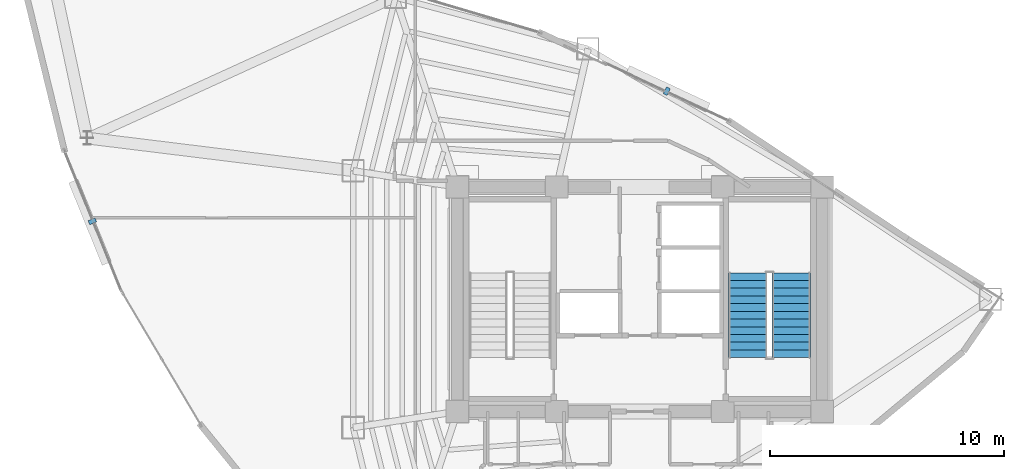
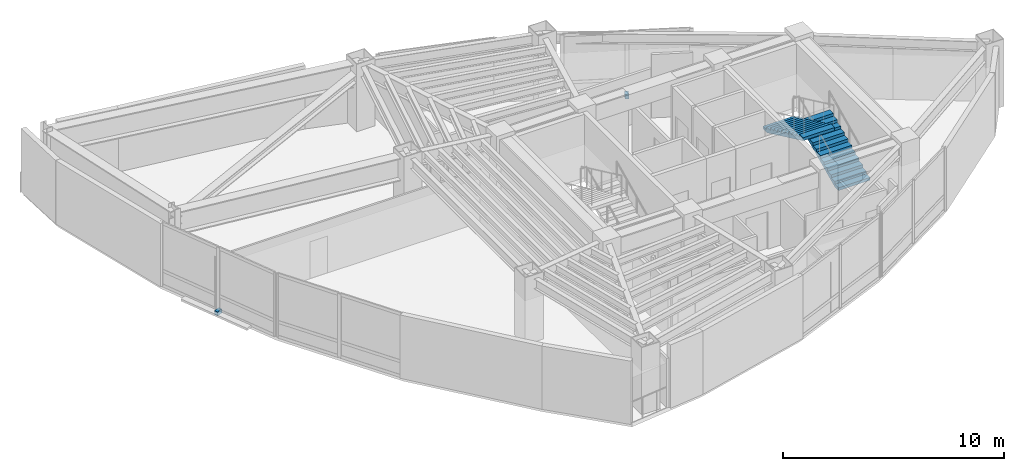
# One storey, part 14 of 16: 2 discrete accessories, 2 stair flights, 1 element without a shape of its own.
"""IFC4 building model written with IfcOpenShell, lengths in metres."""

from ifc_helpers import new_model, si_unit, direction, frame, origin, origin_2d, place, context, subcontext, project, spatial, polyline, rectangle, outline, extrude, material, type_object, element, aggregate, save


model = new_model("IFC4")

# Units and contexts
model_context = context("Model", 3, precision=1e-05, world=origin(), true_north=direction((0.0, 1.0)))
body_context = subcontext(model_context, "Body", "Model", "MODEL_VIEW")
ifc_project = project(units=[si_unit("LENGTHUNIT", "METRE"), si_unit("AREAUNIT", "SQUARE_METRE"), si_unit("VOLUMEUNIT", "CUBIC_METRE"), si_unit("PLANEANGLEUNIT", "RADIAN"), si_unit("MASSUNIT", "GRAM", prefix="KILO")], contexts=[model_context])

# Site, building, storey
site_placement = place(None, origin())
site = spatial("IfcSite", under=ifc_project, at=site_placement, CompositionType="ELEMENT")
building_placement = place(site_placement, origin())
building = spatial("IfcBuilding", under=site, at=building_placement, Name="Menara Vayukalpa", CompositionType="ELEMENT")
storey_placement = place(building_placement, frame((0.0, 0.0, 198.9599609375)))
storey = spatial("IfcBuildingStorey", under=building, at=storey_placement, Name="L50", CompositionType="ELEMENT", Elevation=198.9599609375)

# Stair, stair flights
ifc_material_1 = material(Name="Precast Concrete C40/50", Category="concrete")
stair_type = type_object("IfcStairType", Name="STR-T04", PredefinedType="DOUBLE_RETURN_STAIR", material=ifc_material_1)
stair_placement = place(storey_placement, origin())
stair = element("IfcStair", 1, at=stair_placement, inside=storey, type_object=stair_type, Name="L50 Core Exit Stair ST-2", PredefinedType="DOUBLE_RETURN_STAIR")
ifc_material_2 = material(Name="Precast Concrete C40/50", Category="concrete")
stair_flight_type = type_object("IfcStairFlightType", Name="STF-T04", PredefinedType="STRAIGHT", material=ifc_material_2)
stair_flight_1_placement = place(storey_placement, frame((32.074951171875, 19.5, 0.0), z_axis=(0.0, 0.0, 1.0), x_axis=(0.0, 1.0, 0.0)))
stair_flight_1 = element("IfcStairFlight", 2, at=stair_flight_1_placement, type_object=stair_flight_type, Name="ST-2 flight 1", NumberOfRisers=12, NumberOfTreads=11, PredefinedType="STRAIGHT", RiserHeight=0.155, TreadLength=0.33, context=body_context, shape_type="SweptSolid", body=[
    extrude(outline(polyline([(0.0, 0.0), (0.0, 0.155029296875), (0.330078125, 0.155029296875), (0.330078125, 0.31005859375), (0.659912109375, 0.31005859375), (0.659912109375, 0.465087890625), (0.989990234375, 0.465087890625), (0.989990234375, 0.6201171875), (1.320068359375, 0.6201171875), (1.320068359375, 0.77490234375), (1.64990234375, 0.77490234375), (1.64990234375, 0.929931640625), (1.97998046875, 0.929931640625), (1.97998046875, 1.0849609375), (2.31005859375, 1.0849609375), (2.31005859375, 1.239990234375), (2.639892578125, 1.239990234375), (2.639892578125, 1.39501953125), (2.969970703125, 1.39501953125), (2.969970703125, 1.550048828125), (3.300048828125, 1.550048828125), (3.300048828125, 1.705078125), (3.6298828125, 1.705078125), (3.6298828125, 1.860107421875), (3.6298828125, 1.539306640625), (0.3525390625, 0.0), (0.0, 0.0)])), frame((0.0, 0.824951171875, 0.0), z_axis=(0.0, -1.0, 0.0), x_axis=(1.0, 0.0, 0.0)), (0.0, 0.0, 1.0), 1.64990234375),
])
stair_flight_2_placement = place(storey_placement, frame((30.22509765625, 23.1298828125, 1.860107421875), z_axis=(0.0, 0.0, 1.0), x_axis=(0.0, -1.0, 0.0)))
stair_flight_2 = element("IfcStairFlight", 3, at=stair_flight_2_placement, type_object=stair_flight_type, Name="ST-2 flight 2", NumberOfRisers=12, NumberOfTreads=11, PredefinedType="STRAIGHT", RiserHeight=0.155, TreadLength=0.33, context=body_context, shape_type="SweptSolid", body=[
    extrude(outline(polyline([(0.0, 0.0), (0.0, 0.155029296875), (0.330078125, 0.155029296875), (0.330078125, 0.31005859375), (0.659912109375, 0.31005859375), (0.659912109375, 0.465087890625), (0.989990234375, 0.465087890625), (0.989990234375, 0.6201171875), (1.320068359375, 0.6201171875), (1.320068359375, 0.77490234375), (1.64990234375, 0.77490234375), (1.64990234375, 0.929931640625), (1.97998046875, 0.929931640625), (1.97998046875, 1.0849609375), (2.31005859375, 1.0849609375), (2.31005859375, 1.239990234375), (2.639892578125, 1.239990234375), (2.639892578125, 1.39501953125), (2.969970703125, 1.39501953125), (2.969970703125, 1.550048828125), (3.300048828125, 1.550048828125), (3.300048828125, 1.705078125), (3.6298828125, 1.705078125), (3.6298828125, 1.860107421875), (3.6298828125, 1.539306640625), (0.3525390625, 0.0), (0.0, 0.0)])), frame((0.0, 0.824951171875, 0.0), z_axis=(0.0, -1.0, 0.0), x_axis=(1.0, 0.0, 0.0)), (0.0, 0.0, 1.0), 1.64990234375),
])
aggregate(stair, [stair_flight_1, stair_flight_2])

# Discrete accessories
ifc_material_3 = material(Name="Stainless Steel 316 Sunshade Bracket", Category="steel")
discrete_accessory_type = type_object("IfcDiscreteAccessoryType", Name="ACC-BRK1", PredefinedType="BRACKET", material=ifc_material_3)
for number, where, z_axis, x_axis, name in (
    (4, (26.754638671875, 30.8955078125, -0.16015625), (0.0, 0.0, 1.0), (-0.905783389628, 0.423741018871, 0.0), "L50 Terracotta Sunshade Bracket 05"),
    (5, (2.1953125, 25.329345703125, -0.16015625), (0.0, 0.0, 1.0), (0.376094891671, -0.926581152657, 0.0), "L50 Terracotta Sunshade Bracket 13"),
):
    element("IfcDiscreteAccessory", number, at=place(storey_placement, frame(where, z_axis=z_axis, x_axis=x_axis)), inside=storey, type_object=discrete_accessory_type, Name=name, PredefinedType="BRACKET", context=body_context, shape_type="SweptSolid", body=[
        extrude(rectangle(XDim=0.179931640625, YDim=0.320068359375, at=origin_2d()), origin(), (0.0, 0.0, 1.0), 0.219970703125),
    ])

save(model, "model.ifc")
